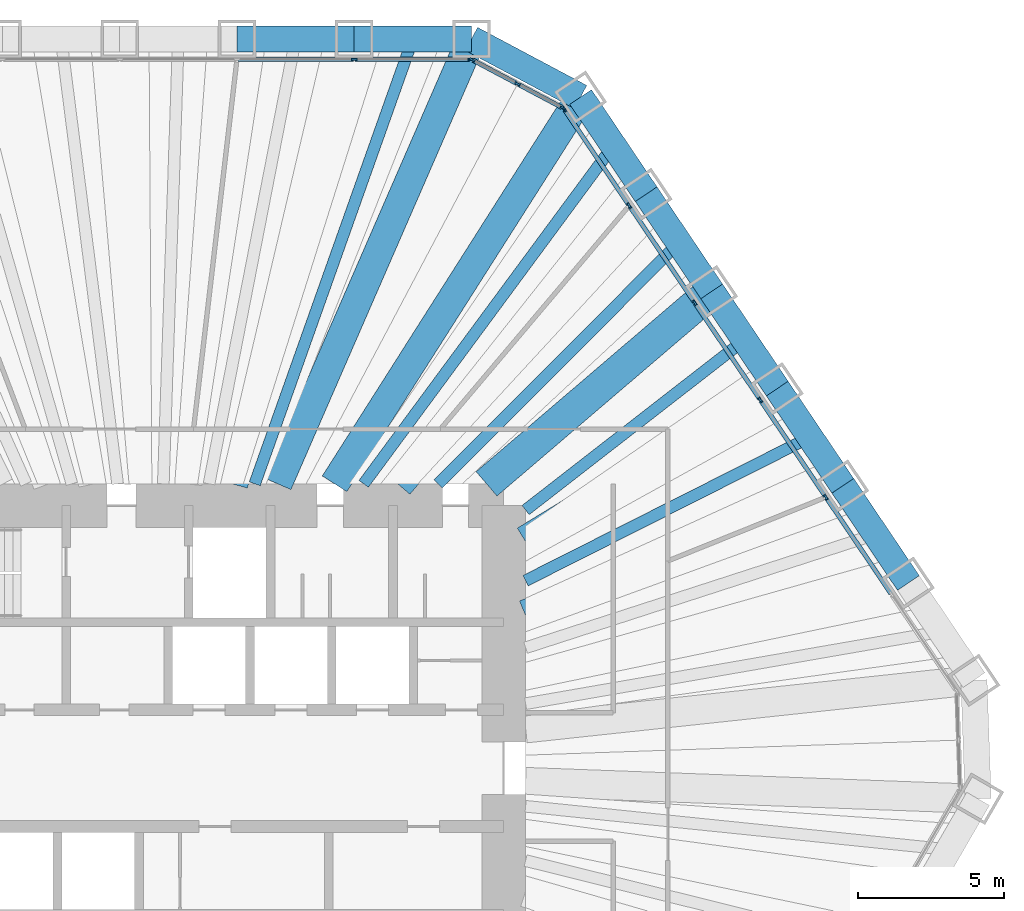
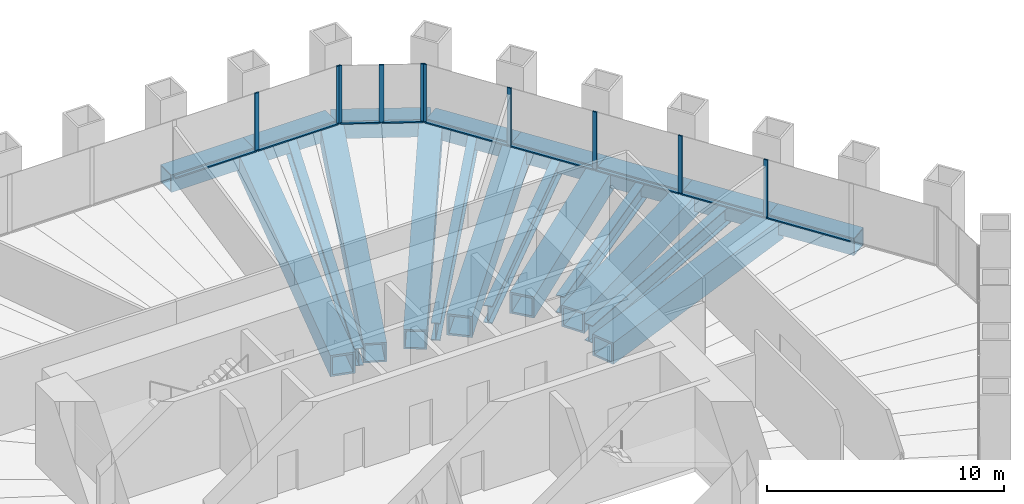
# One storey, part 6 of 12: 20 beams, 19 members, 3 elements without a shape of their own.
"""IFC4 building model written with IfcOpenShell, lengths in metres."""

from ifc_helpers import new_model, si_unit, direction, frame, origin, origin_2d, place, context, subcontext, project, spatial, rectangle, hollow_rectangle, i_section, extrude, material, material_profile, profile_set, type_object, element, aggregate, save


model = new_model("IFC4")

# Units and contexts
model_context = context("Model", 3, precision=1e-05, world=origin(), true_north=direction((0.0, 1.0)))
body_context = subcontext(model_context, "Body", "Model", "MODEL_VIEW")
ifc_project = project(units=[si_unit("LENGTHUNIT", "METRE"), si_unit("AREAUNIT", "SQUARE_METRE"), si_unit("VOLUMEUNIT", "CUBIC_METRE"), si_unit("PLANEANGLEUNIT", "RADIAN"), si_unit("MASSUNIT", "GRAM", prefix="KILO")], contexts=[model_context])

# Site, building, storey
site_placement = place(None, origin())
site = spatial("IfcSite", under=ifc_project, at=site_placement, CompositionType="ELEMENT")
building_placement = place(site_placement, origin())
building = spatial("IfcBuilding", under=site, at=building_placement, Name="Qingtian Harvest Tower", CompositionType="ELEMENT")
storey_placement = place(building_placement, frame((0.0, 0.0, 170.199951171875)))
storey = spatial("IfcBuildingStorey", under=building, at=storey_placement, Name="L36", CompositionType="ELEMENT", Elevation=170.199951171875)

# Beams
ifc_material_1 = material(Name="Steel SN490B", Category="steel")
ifc_material_profile_1 = material_profile(ifc_material_1, i_section(OverallWidth=0.39990234375, OverallDepth=0.89990234375, WebThickness=0.01904296875, FlangeThickness=0.035888671875, at=origin_2d()), Name="H900x400x19x36")
ifc_profile_set_1 = profile_set([ifc_material_profile_1], Name="Steel SN490B")
beam_type_1 = type_object("IfcBeamType", Name="Floor joist J4 H900x400x19x36", PredefinedType="JOIST", material=ifc_profile_set_1)
beam_1_placement = place(storey_placement, frame((8.88330078125, 25.0, -0.619873046875), z_axis=(-0.334829909573, -0.94227858495, 0.0), x_axis=(0.94227858495, -0.334829909573, 0.0)))
element("IfcBeam", 1, at=beam_1_placement, inside=storey, type_object=beam_type_1, Name="Floor joist J4 N5", PredefinedType="JOIST", context=body_context, shape_type="SweptSolid", body=[
    extrude(i_section(OverallWidth=0.39990234375, OverallDepth=0.89990234375, WebThickness=0.01904296875, FlangeThickness=0.035888671875, at=origin_2d()), origin(), (0.0, 0.0, 1.0), 16.18408203125),
])
beam_2_placement = place(storey_placement, frame((15.758544921875, 21.34423828125, -0.619873046875), z_axis=(-0.593960386058, -0.804494288229, 0.0), x_axis=(0.804494288229, -0.593960386058, 0.0)))
element("IfcBeam", 2, at=beam_2_placement, inside=storey, type_object=beam_type_1, Name="Floor joist J4 NE0", PredefinedType="JOIST", context=body_context, shape_type="SweptSolid", body=[
    extrude(i_section(OverallWidth=0.39990234375, OverallDepth=0.89990234375, WebThickness=0.01904296875, FlangeThickness=0.035888671875, at=origin_2d()), origin(), (0.0, 0.0, 1.0), 14.411865234375),
])
beam_3_placement = place(storey_placement, frame((18.005859375, 18.012451171875, -0.619873046875), z_axis=(-0.706970932755, -0.707242603524, 0.0), x_axis=(0.707242603524, -0.706970932755, 0.0)))
element("IfcBeam", 3, at=beam_3_placement, inside=storey, type_object=beam_type_1, Name="Floor joist J4 NE1", PredefinedType="JOIST", context=body_context, shape_type="SweptSolid", body=[
    extrude(i_section(OverallWidth=0.39990234375, OverallDepth=0.89990234375, WebThickness=0.01904296875, FlangeThickness=0.035888671875, at=origin_2d()), origin(), (0.0, 0.0, 1.0), 11.6826171875),
])
beam_4_placement = place(storey_placement, frame((20.25341796875, 14.680419921875, -0.619873046875), z_axis=(-0.789641272199, -0.61356879096, 0.0), x_axis=(0.61356879096, -0.789641272199, 0.0)))
element("IfcBeam", 4, at=beam_4_placement, inside=storey, type_object=beam_type_1, Name="Floor joist J4 NE2", PredefinedType="JOIST", context=body_context, shape_type="SweptSolid", body=[
    extrude(i_section(OverallWidth=0.39990234375, OverallDepth=0.89990234375, WebThickness=0.01904296875, FlangeThickness=0.035888671875, at=origin_2d()), origin(), (0.0, 0.0, 1.0), 9.502197265625),
])
beam_5_placement = place(storey_placement, frame((22.500732421875, 11.348388671875, -0.619873046875), z_axis=(-0.892861323685, -0.450331718478, 0.0), x_axis=(0.450331718478, -0.892861323685, 0.0)))
element("IfcBeam", 5, at=beam_5_placement, inside=storey, type_object=beam_type_1, Name="Floor joist J4 NE3", PredefinedType="JOIST", context=body_context, shape_type="SweptSolid", body=[
    extrude(i_section(OverallWidth=0.39990234375, OverallDepth=0.89990234375, WebThickness=0.01904296875, FlangeThickness=0.035888671875, at=origin_2d()), origin(), (0.0, 0.0, 1.0), 10.920654296875),
])

# Curtain wall, members
ifc_material_2 = material(Name="Bronze-anodised aluminium curtain wall", Category="aluminium")
curtain_wall_type = type_object("IfcCurtainWallType", Name="Curtain wall CW4 office", PredefinedType="USERDEFINED", material=ifc_material_2)
curtain_wall_1_placement = place(storey_placement, origin())
curtain_wall_1 = element("IfcCurtainWall", 6, at=curtain_wall_1_placement, inside=storey, type_object=curtain_wall_type, Name="Curtain wall CW4 L36 N0-5", ObjectType="RECESSED CURTAIN WALL", PredefinedType="USERDEFINED")
ifc_material_3 = material(Name="Bronze-anodised aluminium mullion", Category="aluminium")
ifc_material_profile_2 = material_profile(ifc_material_3, rectangle(XDim=0.06494140625, YDim=0.199951171875, at=origin_2d()), Name="AL 65x200")
ifc_profile_set_2 = profile_set([ifc_material_profile_2], Name="Bronze-anodised aluminium mullion")
member_type_1 = type_object("IfcMemberType", Name="Mullion CWM 65x200", PredefinedType="MULLION", material=ifc_profile_set_2)
member_1_placement = place(storey_placement, frame((6.873779296875, 24.300048828125, 0.0), z_axis=(0.0, 0.0, 1.0), x_axis=(0.0, 1.0, 0.0)))
member_1 = element("IfcMember", 7, at=member_1_placement, type_object=member_type_1, Name="CW4 mullion 6", PredefinedType="MULLION", context=body_context, shape_type="SweptSolid", body=[
    extrude(rectangle(XDim=0.06494140625, YDim=0.199951171875, at=origin_2d()), origin(), (0.0, 0.0, 1.0), 3.0),
])
member_2_placement = place(storey_placement, frame((10.8603515625, 24.300048828125, 0.0), z_axis=(0.0, 0.0, 1.0), x_axis=(0.0, 1.0, 0.0)))
member_2 = element("IfcMember", 8, at=member_2_placement, type_object=member_type_1, Name="CW4 mullion 7", PredefinedType="MULLION", context=body_context, shape_type="SweptSolid", body=[
    extrude(rectangle(XDim=0.06494140625, YDim=0.199951171875, at=origin_2d()), origin(), (0.0, 0.0, 1.0), 3.0),
])

curtain_wall_2_placement = place(storey_placement, origin())
curtain_wall_2 = element("IfcCurtainWall", 9, at=curtain_wall_2_placement, inside=storey, type_object=curtain_wall_type, Name="Curtain wall CW4 L36 NC", ObjectType="RECESSED CURTAIN WALL", PredefinedType="USERDEFINED")
member_3_placement = place(storey_placement, frame((10.92138671875, 24.28466796875, 0.0), z_axis=(0.0, 0.0, 1.0), x_axis=(0.469471562786, 0.882947592859, 0.0)))
member_3 = element("IfcMember", 10, at=member_3_placement, type_object=member_type_1, Name="CW4 mullion 1", PredefinedType="MULLION", context=body_context, shape_type="SweptSolid", body=[
    extrude(rectangle(XDim=0.06494140625, YDim=0.199951171875, at=origin_2d()), origin(), (0.0, 0.0, 1.0), 3.0),
])
member_4_placement = place(storey_placement, frame((12.4736328125, 23.45947265625, 0.0), z_axis=(0.0, 0.0, 1.0), x_axis=(0.469471562786, 0.882947592859, 0.0)))
member_4 = element("IfcMember", 11, at=member_4_placement, type_object=member_type_1, Name="CW4 mullion 2", PredefinedType="MULLION", context=body_context, shape_type="SweptSolid", body=[
    extrude(rectangle(XDim=0.06494140625, YDim=0.199951171875, at=origin_2d()), origin(), (0.0, 0.0, 1.0), 3.0),
])
member_5_placement = place(storey_placement, frame((14.02587890625, 22.634033203125, 0.0), z_axis=(0.0, 0.0, 1.0), x_axis=(0.469471562786, 0.882947592859, 0.0)))
member_5 = element("IfcMember", 12, at=member_5_placement, type_object=member_type_1, Name="CW4 mullion 3", PredefinedType="MULLION", context=body_context, shape_type="SweptSolid", body=[
    extrude(rectangle(XDim=0.06494140625, YDim=0.199951171875, at=origin_2d()), origin(), (0.0, 0.0, 1.0), 3.0),
])

curtain_wall_3_placement = place(storey_placement, origin())
curtain_wall_3 = element("IfcCurtainWall", 13, at=curtain_wall_3_placement, inside=storey, type_object=curtain_wall_type, Name="Curtain wall CW4 L36 NE0-5", ObjectType="RECESSED CURTAIN WALL", PredefinedType="USERDEFINED")
member_6_placement = place(storey_placement, frame((14.07275390625, 22.592041015625, 0.0), z_axis=(0.0, 0.0, 1.0), x_axis=(0.829037572555, 0.559192903471, 0.0)))
member_6 = element("IfcMember", 14, at=member_6_placement, type_object=member_type_1, Name="CW4 mullion 1", PredefinedType="MULLION", context=body_context, shape_type="SweptSolid", body=[
    extrude(rectangle(XDim=0.06494140625, YDim=0.199951171875, at=origin_2d()), origin(), (0.0, 0.0, 1.0), 3.0),
])
member_7_placement = place(storey_placement, frame((16.302001953125, 19.286865234375, 0.0), z_axis=(0.0, 0.0, 1.0), x_axis=(0.829037572555, 0.559192903471, 0.0)))
member_7 = element("IfcMember", 15, at=member_7_placement, type_object=member_type_1, Name="CW4 mullion 2", PredefinedType="MULLION", context=body_context, shape_type="SweptSolid", body=[
    extrude(rectangle(XDim=0.06494140625, YDim=0.199951171875, at=origin_2d()), origin(), (0.0, 0.0, 1.0), 3.0),
])
member_8_placement = place(storey_placement, frame((18.54931640625, 15.954833984375, 0.0), z_axis=(0.0, 0.0, 1.0), x_axis=(0.829037572555, 0.559192903471, 0.0)))
member_8 = element("IfcMember", 16, at=member_8_placement, type_object=member_type_1, Name="CW4 mullion 3", PredefinedType="MULLION", context=body_context, shape_type="SweptSolid", body=[
    extrude(rectangle(XDim=0.06494140625, YDim=0.199951171875, at=origin_2d()), origin(), (0.0, 0.0, 1.0), 3.0),
])
member_9_placement = place(storey_placement, frame((20.796875, 12.623046875, 0.0), z_axis=(0.0, 0.0, 1.0), x_axis=(0.829037572555, 0.559192903471, 0.0)))
member_9 = element("IfcMember", 17, at=member_9_placement, type_object=member_type_1, Name="CW4 mullion 4", PredefinedType="MULLION", context=body_context, shape_type="SweptSolid", body=[
    extrude(rectangle(XDim=0.06494140625, YDim=0.199951171875, at=origin_2d()), origin(), (0.0, 0.0, 1.0), 3.0),
])
member_10_placement = place(storey_placement, frame((23.044189453125, 9.291015625, 0.0), z_axis=(0.0, 0.0, 1.0), x_axis=(0.829037572555, 0.559192903471, 0.0)))
member_10 = element("IfcMember", 18, at=member_10_placement, type_object=member_type_1, Name="CW4 mullion 5", PredefinedType="MULLION", context=body_context, shape_type="SweptSolid", body=[
    extrude(rectangle(XDim=0.06494140625, YDim=0.199951171875, at=origin_2d()), origin(), (0.0, 0.0, 1.0), 3.0),
])

# Beams
ifc_material_4 = material(Name="Steel SM570MC", Category="steel")
ifc_material_profile_3 = material_profile(ifc_material_4, hollow_rectangle(XDim=1.0, YDim=1.0, WallThickness=0.080078125, at=origin_2d()), Name="BOX1000x1000x80")
ifc_profile_set_3 = profile_set([ifc_material_profile_3], Name="Steel SM570MC")
beam_type_2 = type_object("IfcBeamType", Name="Transfer corner beam FB11 BOX1000x1000x80", PredefinedType="BEAM", material=ifc_profile_set_3)
beam_6_placement = place(storey_placement, frame((10.892822265625, 25.0, -0.669921875), z_axis=(-0.399451016538, -0.916754539333, 0.0), x_axis=(0.916754539333, -0.399451016538, 0.0)))
element("IfcBeam", 19, at=beam_6_placement, inside=storey, type_object=beam_type_2, Name="Floor beam FB11 N6", PredefinedType="BEAM", context=body_context, shape_type="SweptSolid", body=[
    extrude(hollow_rectangle(XDim=1.0, YDim=1.0, WallThickness=0.080078125, at=origin_2d()), origin(), (0.0, 0.0, 1.0), 16.634765625),
])
beam_7_placement = place(storey_placement, frame((14.634765625, 23.01025390625, -0.669921875), z_axis=(-0.536660352939, -0.843798355997, 0.0), x_axis=(0.843798355997, -0.536660352939, 0.0)))
element("IfcBeam", 20, at=beam_7_placement, inside=storey, type_object=beam_type_2, Name="Floor beam FB11 NE0", PredefinedType="BEAM", context=body_context, shape_type="SweptSolid", body=[
    extrude(hollow_rectangle(XDim=1.0, YDim=1.0, WallThickness=0.080078125, at=origin_2d()), origin(), (0.0, 0.0, 1.0), 15.71484375),
])
ifc_material_5 = material(Name="Steel SM570MC", Category="steel")
ifc_material_profile_4 = material_profile(ifc_material_5, hollow_rectangle(XDim=1.10009765625, YDim=1.10009765625, WallThickness=0.10009765625, at=origin_2d()), Name="BOX1100x1100x100")
ifc_profile_set_4 = profile_set([ifc_material_profile_4], Name="Steel SM570MC")
beam_type_3 = type_object("IfcBeamType", Name="Transfer floor beam FB9 BOX1100x1100x100", PredefinedType="BEAM", material=ifc_profile_set_4)
beam_8_placement = place(storey_placement, frame((6.873779296875, 25.0, -0.719970703125), z_axis=(-0.265119170108, -0.964215653078, 0.0), x_axis=(0.964215653078, -0.265119170108, 0.0)))
element("IfcBeam", 21, at=beam_8_placement, inside=storey, type_object=beam_type_3, Name="Floor beam FB9 N5", PredefinedType="BEAM", context=body_context, shape_type="SweptSolid", body=[
    extrude(hollow_rectangle(XDim=1.10009765625, YDim=1.10009765625, WallThickness=0.10009765625, at=origin_2d()), origin(), (0.0, 0.0, 1.0), 15.81591796875),
])
beam_9_placement = place(storey_placement, frame((16.88232421875, 19.67822265625, -0.719970703125), z_axis=(-0.651140196702, -0.758957471957, 0.0), x_axis=(0.758957471957, -0.651140196702, 0.0)))
element("IfcBeam", 22, at=beam_9_placement, inside=storey, type_object=beam_type_3, Name="Floor beam FB9 NE1", PredefinedType="BEAM", context=body_context, shape_type="SweptSolid", body=[
    extrude(hollow_rectangle(XDim=1.10009765625, YDim=1.10009765625, WallThickness=0.10009765625, at=origin_2d()), origin(), (0.0, 0.0, 1.0), 13.081298828125),
])
beam_10_placement = place(storey_placement, frame((19.129638671875, 16.346435546875, -0.719970703125), z_axis=(-0.760241810635, -0.649640199928, 0.0), x_axis=(0.649640199928, -0.760241810635, 0.0)))
element("IfcBeam", 23, at=beam_10_placement, inside=storey, type_object=beam_type_3, Name="Floor beam FB9 NE2", PredefinedType="BEAM", context=body_context, shape_type="SweptSolid", body=[
    extrude(hollow_rectangle(XDim=1.10009765625, YDim=1.10009765625, WallThickness=0.10009765625, at=origin_2d()), origin(), (0.0, 0.0, 1.0), 10.154052734375),
])
beam_11_placement = place(storey_placement, frame((21.377197265625, 13.014404296875, -0.719970703125), z_axis=(-0.854160745245, -0.520009058846, 0.0), x_axis=(0.520009058846, -0.854160745245, 0.0)))
element("IfcBeam", 24, at=beam_11_placement, inside=storey, type_object=beam_type_3, Name="Floor beam FB9 NE3", PredefinedType="BEAM", context=body_context, shape_type="SweptSolid", body=[
    extrude(hollow_rectangle(XDim=1.10009765625, YDim=1.10009765625, WallThickness=0.10009765625, at=origin_2d()), origin(), (0.0, 0.0, 1.0), 10.10009765625),
])
beam_12_placement = place(storey_placement, frame((23.62451171875, 9.682373046875, -0.719970703125), z_axis=(-0.925304541163, -0.379224875375, 0.0), x_axis=(0.379224875375, -0.925304541163, 0.0)))
element("IfcBeam", 25, at=beam_12_placement, inside=storey, type_object=beam_type_3, Name="Floor beam FB9 NE4", PredefinedType="BEAM", context=body_context, shape_type="SweptSolid", body=[
    extrude(hollow_rectangle(XDim=1.10009765625, YDim=1.10009765625, WallThickness=0.10009765625, at=origin_2d()), origin(), (0.0, 0.0, 1.0), 11.75244140625),
])
ifc_material_6 = material(Name="Steel SM570MC", Category="steel")
ifc_material_profile_5 = material_profile(ifc_material_6, hollow_rectangle(XDim=0.89990234375, YDim=0.89990234375, WallThickness=0.050048828125, at=origin_2d()), Name="BOX900x900x50")
ifc_profile_set_5 = profile_set([ifc_material_profile_5], Name="Steel SM570MC")
beam_type_4 = type_object("IfcBeamType", Name="Transition spandrel SB6 BOX900x900x50", PredefinedType="SPANDREL", material=ifc_profile_set_5)
beam_13_placement = place(storey_placement, frame((2.8544921875, 25.0, -0.449951171875), z_axis=(1.0, 0.0, 0.0), x_axis=(0.0, 1.0, 0.0)))
element("IfcBeam", 26, at=beam_13_placement, inside=storey, type_object=beam_type_4, Name="Spandrel SB6 N4", PredefinedType="SPANDREL", context=body_context, shape_type="SweptSolid", body=[
    extrude(hollow_rectangle(XDim=0.89990234375, YDim=0.89990234375, WallThickness=0.050048828125, at=origin_2d()), origin(), (0.0, 0.0, 1.0), 4.019287109375),
])
beam_14_placement = place(storey_placement, frame((6.873779296875, 25.0, -0.449951171875), z_axis=(1.0, 0.0, 0.0), x_axis=(0.0, 1.0, 0.0)))
element("IfcBeam", 27, at=beam_14_placement, inside=storey, type_object=beam_type_4, Name="Spandrel SB6 N5", PredefinedType="SPANDREL", context=body_context, shape_type="SweptSolid", body=[
    extrude(hollow_rectangle(XDim=0.89990234375, YDim=0.89990234375, WallThickness=0.050048828125, at=origin_2d()), origin(), (0.0, 0.0, 1.0), 4.01904296875),
])
beam_15_placement = place(storey_placement, frame((10.892822265625, 25.0, -0.449951171875), z_axis=(0.882935902835, -0.469493547863, 0.0), x_axis=(0.469493547863, 0.882935902835, 0.0)))
element("IfcBeam", 28, at=beam_15_placement, inside=storey, type_object=beam_type_4, Name="Spandrel SB6 NC", PredefinedType="SPANDREL", context=body_context, shape_type="SweptSolid", body=[
    extrude(hollow_rectangle(XDim=0.89990234375, YDim=0.89990234375, WallThickness=0.050048828125, at=origin_2d()), origin(), (0.0, 0.0, 1.0), 4.238037109375),
])
beam_16_placement = place(storey_placement, frame((14.634765625, 23.01025390625, -0.449951171875), z_axis=(0.559205752254, -0.829028905796, 0.0), x_axis=(0.829028905796, 0.559205752254, 0.0)))
element("IfcBeam", 29, at=beam_16_placement, inside=storey, type_object=beam_type_4, Name="Spandrel SB6 NE0", PredefinedType="SPANDREL", context=body_context, shape_type="SweptSolid", body=[
    extrude(hollow_rectangle(XDim=0.89990234375, YDim=0.89990234375, WallThickness=0.050048828125, at=origin_2d()), origin(), (0.0, 0.0, 1.0), 4.019287109375),
])
beam_17_placement = place(storey_placement, frame((16.88232421875, 19.67822265625, -0.449951171875), z_axis=(0.55919216322, -0.82903807186, 0.0), x_axis=(0.82903807186, 0.55919216322, 0.0)))
element("IfcBeam", 30, at=beam_17_placement, inside=storey, type_object=beam_type_4, Name="Spandrel SB6 NE1", PredefinedType="SPANDREL", context=body_context, shape_type="SweptSolid", body=[
    extrude(hollow_rectangle(XDim=0.89990234375, YDim=0.89990234375, WallThickness=0.050048828125, at=origin_2d()), origin(), (0.0, 0.0, 1.0), 4.018798828125),
])
beam_18_placement = place(storey_placement, frame((19.129638671875, 16.346435546875, -0.449951171875), z_axis=(0.559205752254, -0.829028905796, 0.0), x_axis=(0.829028905796, 0.559205752254, 0.0)))
element("IfcBeam", 31, at=beam_18_placement, inside=storey, type_object=beam_type_4, Name="Spandrel SB6 NE2", PredefinedType="SPANDREL", context=body_context, shape_type="SweptSolid", body=[
    extrude(hollow_rectangle(XDim=0.89990234375, YDim=0.89990234375, WallThickness=0.050048828125, at=origin_2d()), origin(), (0.0, 0.0, 1.0), 4.019287109375),
])
for number, where, z_axis, x_axis, name in (
    (32, (21.377197265625, 13.014404296875, -0.449951171875), (0.55916400171, -0.829057066306, 0.0), (0.829057066306, 0.55916400171, 0.0), "Spandrel SB6 NE3"),
    (33, (23.62451171875, 9.682373046875, -0.449951171875), (0.559233913953, -0.829009909159, 0.0), (0.829009909159, 0.559233913953, 0.0), "Spandrel SB6 NE4"),
):
    element("IfcBeam", number, at=place(storey_placement, frame(where, z_axis=z_axis, x_axis=x_axis)), inside=storey, type_object=beam_type_4, Name=name, PredefinedType="SPANDREL", context=body_context, shape_type="SweptSolid", body=[
        extrude(hollow_rectangle(XDim=0.89990234375, YDim=0.89990234375, WallThickness=0.050048828125, at=origin_2d()), origin(), (0.0, 0.0, 1.0), 4.01904296875),
    ])

# Member
ifc_material_7 = material(Name="Bronze-anodised aluminium transom", Category="aluminium")
ifc_material_profile_6 = material_profile(ifc_material_7, rectangle(XDim=0.14990234375, YDim=0.06494140625, at=origin_2d()), Name="AL 65x150")
ifc_profile_set_6 = profile_set([ifc_material_profile_6], Name="Bronze-anodised aluminium transom")
member_type_2 = type_object("IfcMemberType", Name="Transom CWT 65x150", PredefinedType="USERDEFINED", material=ifc_profile_set_6)
member_11_placement = place(storey_placement, frame((2.886962890625, 24.300048828125, 0.032470703125), z_axis=(1.0, 0.0, 0.0), x_axis=(0.0, 1.0, 0.0)))
member_11 = element("IfcMember", 34, at=member_11_placement, type_object=member_type_2, Name="CW4 transom 5.1", ObjectType="TRANSOM", PredefinedType="USERDEFINED", context=body_context, shape_type="SweptSolid", body=[
    extrude(rectangle(XDim=0.14990234375, YDim=0.06494140625, at=origin_2d()), origin(), (0.0, 0.0, 1.0), 3.9541015625),
])

member_12_placement = place(storey_placement, frame((6.90625, 24.300048828125, 0.032470703125), z_axis=(1.0, 0.0, 0.0), x_axis=(0.0, 1.0, 0.0)))
member_12 = element("IfcMember", 35, at=member_12_placement, type_object=member_type_2, Name="CW4 transom 6.1", ObjectType="TRANSOM", PredefinedType="USERDEFINED", context=body_context, shape_type="SweptSolid", body=[
    extrude(rectangle(XDim=0.14990234375, YDim=0.06494140625, at=origin_2d()), origin(), (0.0, 0.0, 1.0), 3.92138671875),
])

aggregate(curtain_wall_1, [member_1, member_2, member_11, member_12])

member_13_placement = place(storey_placement, frame((10.9501953125, 24.26953125, 0.032470703125), z_axis=(0.882895287784, -0.469569921108, 0.0), x_axis=(0.469569921108, 0.882895287784, 0.0)))
member_13 = element("IfcMember", 36, at=member_13_placement, type_object=member_type_2, Name="CW4 transom 1.1", ObjectType="TRANSOM", PredefinedType="USERDEFINED", context=body_context, shape_type="SweptSolid", body=[
    extrude(rectangle(XDim=0.14990234375, YDim=0.06494140625, at=origin_2d()), origin(), (0.0, 0.0, 1.0), 1.69287109375),
])

member_14_placement = place(storey_placement, frame((12.502197265625, 23.444091796875, 0.032470703125), z_axis=(0.882986854304, -0.469397715297, 0.0), x_axis=(0.469397715297, 0.882986854304, 0.0)))
member_14 = element("IfcMember", 37, at=member_14_placement, type_object=member_type_2, Name="CW4 transom 2.1", ObjectType="TRANSOM", PredefinedType="USERDEFINED", context=body_context, shape_type="SweptSolid", body=[
    extrude(rectangle(XDim=0.14990234375, YDim=0.06494140625, at=origin_2d()), origin(), (0.0, 0.0, 1.0), 1.69287109375),
])

aggregate(curtain_wall_2, [member_3, member_4, member_5, member_13, member_14])

member_15_placement = place(storey_placement, frame((14.0908203125, 22.56494140625, 0.032470703125), z_axis=(0.55920336949, -0.82903051304, 0.0), x_axis=(0.82903051304, 0.55920336949, 0.0)))
member_15 = element("IfcMember", 38, at=member_15_placement, type_object=member_type_2, Name="CW4 transom 1.1", ObjectType="TRANSOM", PredefinedType="USERDEFINED", context=body_context, shape_type="SweptSolid", body=[
    extrude(rectangle(XDim=0.14990234375, YDim=0.06494140625, at=origin_2d()), origin(), (0.0, 0.0, 1.0), 3.92138671875),
])

member_16_placement = place(storey_placement, frame((16.320068359375, 19.260009765625, 0.032470703125), z_axis=(0.55920878069, -0.829026863014, 0.0), x_axis=(0.829026863014, 0.55920878069, 0.0)))
member_16 = element("IfcMember", 39, at=member_16_placement, type_object=member_type_2, Name="CW4 transom 2.1", ObjectType="TRANSOM", PredefinedType="USERDEFINED", context=body_context, shape_type="SweptSolid", body=[
    extrude(rectangle(XDim=0.14990234375, YDim=0.06494140625, at=origin_2d()), origin(), (0.0, 0.0, 1.0), 3.9541015625),
])

member_17_placement = place(storey_placement, frame((18.567626953125, 15.927978515625, 0.032470703125), z_axis=(0.559166343236, -0.82905548704, 0.0), x_axis=(0.82905548704, 0.559166343236, 0.0)))
member_17 = element("IfcMember", 40, at=member_17_placement, type_object=member_type_2, Name="CW4 transom 3.1", ObjectType="TRANSOM", PredefinedType="USERDEFINED", context=body_context, shape_type="SweptSolid", body=[
    extrude(rectangle(XDim=0.14990234375, YDim=0.06494140625, at=origin_2d()), origin(), (0.0, 0.0, 1.0), 3.9541015625),
])

member_18_placement = place(storey_placement, frame((20.81494140625, 12.595947265625, 0.032470703125), z_axis=(0.55920878069, -0.829026863014, 0.0), x_axis=(0.829026863014, 0.55920878069, 0.0)))
member_18 = element("IfcMember", 41, at=member_18_placement, type_object=member_type_2, Name="CW4 transom 4.1", ObjectType="TRANSOM", PredefinedType="USERDEFINED", context=body_context, shape_type="SweptSolid", body=[
    extrude(rectangle(XDim=0.14990234375, YDim=0.06494140625, at=origin_2d()), origin(), (0.0, 0.0, 1.0), 3.9541015625),
])

member_19_placement = place(storey_placement, frame((23.0625, 9.26416015625, 0.032470703125), z_axis=(0.559166343236, -0.82905548704, 0.0), x_axis=(0.82905548704, 0.559166343236, 0.0)))
member_19 = element("IfcMember", 42, at=member_19_placement, type_object=member_type_2, Name="CW4 transom 5.1", ObjectType="TRANSOM", PredefinedType="USERDEFINED", context=body_context, shape_type="SweptSolid", body=[
    extrude(rectangle(XDim=0.14990234375, YDim=0.06494140625, at=origin_2d()), origin(), (0.0, 0.0, 1.0), 3.9541015625),
])

aggregate(curtain_wall_3, [member_6, member_7, member_8, member_9, member_10, member_15, member_16, member_17, member_18, member_19])

save(model, "model.ifc")
